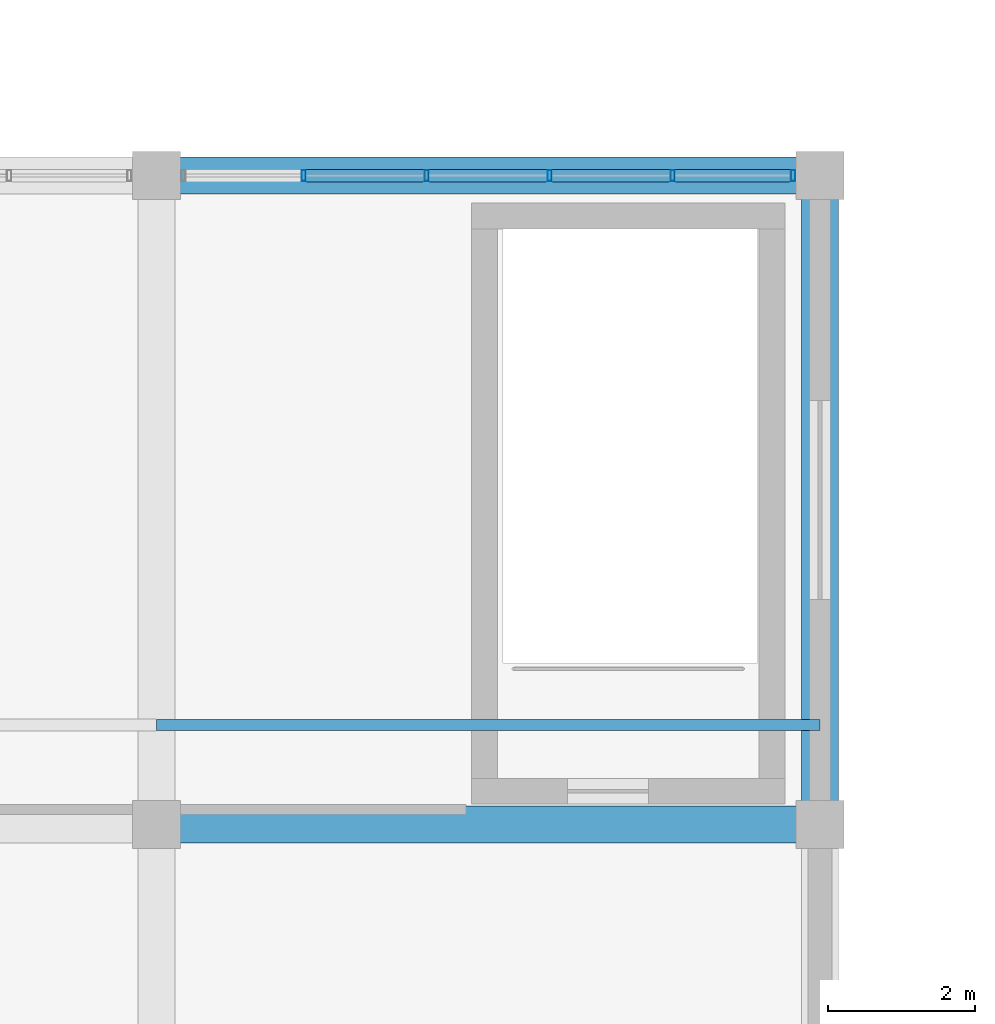
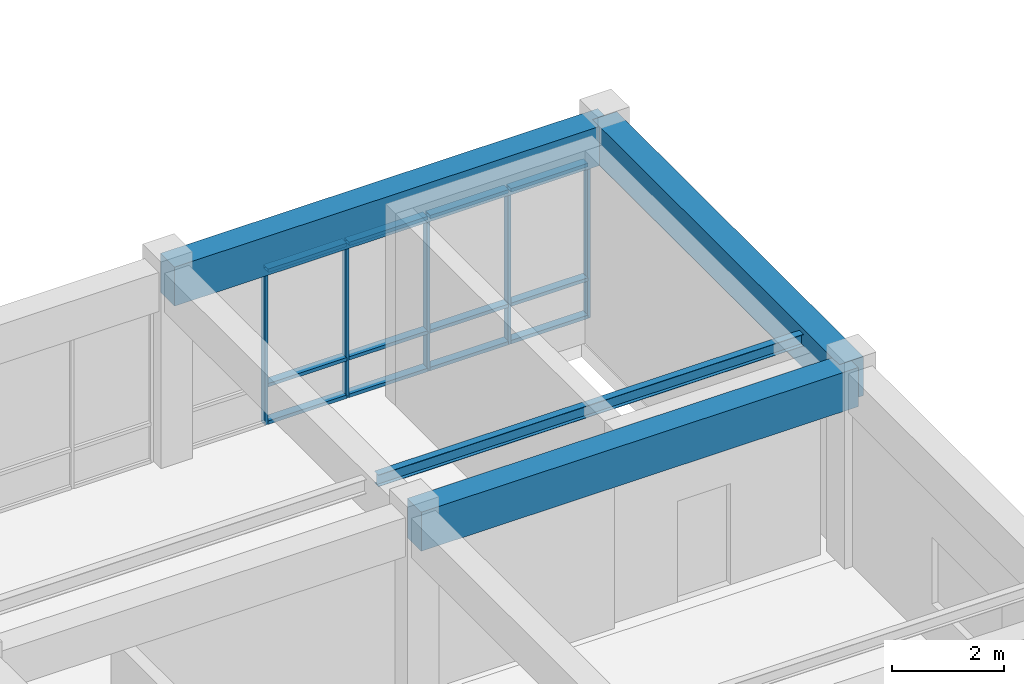
# One storey, part 10 of 55: 18 members, 3 beams, 1 element without a shape of its own.
"""IFC4 building model written with IfcOpenShell, lengths in metres."""

import ifcopenshell
import ifcopenshell.guid

model = None  # the IFC model being written
_history = None  # IfcOwnerHistory: only IFC2X3 demands one
_inside = {}  # id of a spatial element -> (the spatial element, [elements in it])
_under = {}  # id of a project, library or spatial element -> (it, [spatial elements below it])
_declared = {}  # id of a project -> (the project, [libraries it declares])
_typed = {}  # id of a type object -> (the type object, [elements of that type])
_made_of = {}  # id of a material, layer set ... -> (it, [elements and type objects made of it])


def new_model(schema):
    """Start an empty IFC model of exactly this schema.

    Asked for "IFC4X3", IfcOpenShell would pick the latest addendum, in which some entities
    have other attributes; the version numbers below select the first issue.
    IFC2X3 requires an IfcOwnerHistory on every rooted entity: one is made here for all.
    """
    global model, _history
    if schema == "IFC4X3":
        model = ifcopenshell.file(schema_version=(4, 3, 0, 0))
    else:
        model = ifcopenshell.file(schema=schema)
    _inside.clear()
    _under.clear()
    _declared.clear()
    _typed.clear()
    _made_of.clear()
    _history = None
    if model.schema == "IFC2X3":
        org = make("IfcOrganization", Name="unknown")
        user = make(
            "IfcPersonAndOrganization",
            ThePerson=make("IfcPerson", FamilyName="unknown"),
            TheOrganization=org,
        )
        app = make(
            "IfcApplication",
            ApplicationDeveloper=org,
            Version="unknown",
            ApplicationFullName="unknown",
            ApplicationIdentifier="unknown",
        )
        _history = make(
            "IfcOwnerHistory",
            OwningUser=user,
            OwningApplication=app,
            ChangeAction="ADDED",
            CreationDate=0,
        )
    return model


def make(cls, **values):
    """One entity of the class cls with the attributes given. An attribute that is None is left unset."""
    return model.create_entity(
        cls, **{name: value for name, value in values.items() if value is not None}
    )


def rooted(cls, **values):
    """An entity with a GlobalId (a new one), such as an element, a storey or a relation."""
    return make(cls, GlobalId=ifcopenshell.guid.new(), OwnerHistory=_history, **values)


def si_unit(unit_type, name, prefix=None):
    """IfcSIUnit, for example si_unit("LENGTHUNIT", "METRE", prefix="MILLI")."""
    return make("IfcSIUnit", UnitType=unit_type, Prefix=prefix, Name=name)


def assignment(units):
    """IfcUnitAssignment: the units of a project."""
    return None if units is None else make("IfcUnitAssignment", Units=units)


def point(xyz):
    """IfcCartesianPoint."""
    return None if xyz is None else make("IfcCartesianPoint", Coordinates=xyz)


def direction(xyz):
    """IfcDirection."""
    return None if xyz is None else make("IfcDirection", DirectionRatios=xyz)


def frame(location, z_axis=None, x_axis=None):
    """IfcAxis2Placement3D, a coordinate frame: its origin and axes. An axis left out is left unset."""
    return make(
        "IfcAxis2Placement3D",
        Location=point(location),
        Axis=direction(z_axis),
        RefDirection=direction(x_axis),
    )


def frame_2d(location, x_axis=None):
    """IfcAxis2Placement2D, a coordinate frame in the plane: its origin and x axis."""
    return make(
        "IfcAxis2Placement2D", Location=point(location), RefDirection=direction(x_axis)
    )


def origin():
    """The frame at (0, 0, 0) with its axes left unset."""
    return frame((0.0, 0.0, 0.0))


def origin_2d():
    """The frame at (0, 0) in the plane with its x axis left unset."""
    return frame_2d((0.0, 0.0))


def place(relative_to, where):
    """IfcLocalPlacement: puts the frame where relative to a parent placement (None: the world)."""
    return make(
        "IfcLocalPlacement", PlacementRelTo=relative_to, RelativePlacement=where
    )


def context(
    kind, dimensions, precision=None, world=None, true_north=None, identifier=None
):
    """IfcGeometricRepresentationContext, for example the 3D "Model" context."""
    return make(
        "IfcGeometricRepresentationContext",
        ContextIdentifier=identifier,
        ContextType=kind,
        CoordinateSpaceDimension=dimensions,
        Precision=precision,
        WorldCoordinateSystem=world,
        TrueNorth=true_north,
    )


def subcontext(parent, identifier, kind, view, scale=None):
    """IfcGeometricRepresentationSubContext, for example "Body" below "Model"."""
    return make(
        "IfcGeometricRepresentationSubContext",
        ContextIdentifier=identifier,
        ContextType=kind,
        ParentContext=parent,
        TargetScale=scale,
        TargetView=view,
    )


def project(units=None, contexts=None):
    """IfcProject with its units and contexts."""
    return rooted(
        "IfcProject",
        Name="project",
        RepresentationContexts=contexts,
        UnitsInContext=assignment(units),
    )


def spatial(cls, under=None, at=None, **own):
    """A site, building, storey or space (cls), placed at a placement, below another one or the project."""
    s = rooted(cls, ObjectPlacement=at, **own)
    if under is not None:
        _under.setdefault(under.id(), (under, []))[1].append(s)
    return s


def profile(cls, at=None, kind="AREA", **sizes):
    """A parametric profile (cls). Its sizes go by their IFC names, for example OverallWidth=200.0."""
    return make(cls, ProfileType=kind, Position=at, **sizes)


def rectangle(**sizes):
    """IfcRectangleProfileDef."""
    return profile("IfcRectangleProfileDef", **sizes)


def hollow_rectangle(**sizes):
    """IfcRectangleHollowProfileDef."""
    return profile("IfcRectangleHollowProfileDef", **sizes)


def i_section(**sizes):
    """IfcIShapeProfileDef."""
    return profile("IfcIShapeProfileDef", **sizes)


def extrude(swept, where, along, depth):
    """IfcExtrudedAreaSolid: the profile swept, set in the frame where, extruded along a direction by depth."""
    return make(
        "IfcExtrudedAreaSolid",
        SweptArea=swept,
        Position=where,
        ExtrudedDirection=direction(along),
        Depth=depth,
    )


def shape(context_of_items, identifier, shape_type, items):
    """IfcShapeRepresentation: the items that make up one representation, for example the "Body"."""
    return make(
        "IfcShapeRepresentation",
        ContextOfItems=context_of_items,
        RepresentationIdentifier=identifier,
        RepresentationType=shape_type,
        Items=items,
    )


def material(Name=None, Category=None):
    """IfcMaterial."""
    return make("IfcMaterial", Name=Name, Category=Category)


def layer(
    of_material, thickness, ventilated=None, Name=None, Category=None, Priority=None
):
    """IfcMaterialLayer: one layer of a wall or slab, of a material (None: an air gap)."""
    return make(
        "IfcMaterialLayer",
        Material=of_material,
        LayerThickness=thickness,
        IsVentilated=ventilated,
        Name=Name,
        Category=Category,
        Priority=Priority,
    )


def layer_set(layers, Name=None):
    """IfcMaterialLayerSet."""
    return make("IfcMaterialLayerSet", MaterialLayers=layers, LayerSetName=Name)


def material_profile(
    of_material, cross_section, Name=None, Category=None, Priority=None
):
    """IfcMaterialProfile: a cross section and its material."""
    return make(
        "IfcMaterialProfile",
        Name=Name,
        Material=of_material,
        Profile=cross_section,
        Priority=Priority,
        Category=Category,
    )


def profile_set(profiles, Name=None, composite=None):
    """IfcMaterialProfileSet."""
    return make(
        "IfcMaterialProfileSet",
        Name=Name,
        MaterialProfiles=profiles,
        CompositeProfile=composite,
    )


def made_of(thing, what):
    """Note that an element or type object is made of a material, layer set ...; save() writes the relation."""
    if what is not None:
        _made_of.setdefault(what.id(), (what, []))[1].append(thing)
    return thing


def type_object(cls, material=None, **own):
    """A type object (cls), such as IfcWallType, which elements share."""
    return made_of(rooted(cls, **own), material)


def element(
    cls,
    number,
    at=None,
    inside=None,
    cuts=None,
    type_object=None,
    material=None,
    context=None,
    identifier="Body",
    shape_type=None,
    held_by="IfcProductDefinitionShape",
    body=None,
    shapes=None,
    **own,
):
    """One element of the class cls, such as IfcWall. Its Tag is "e" and its number.

    at: its placement. inside: the storey or other place that contains it. cuts: it is an
    opening in that element (IfcRelVoidsElement). A single representation is given by context,
    identifier, shape_type and body (its items); several are given by shapes. held_by: the class
    of the entity that holds the representations. save() writes the other relations.
    """
    e = rooted(cls, Tag="e%d" % number, ObjectPlacement=at, **own)
    if body is not None:
        shapes = [shape(context, identifier, shape_type, body)]
    if shapes is not None:
        e.Representation = make(held_by, Representations=shapes)
    if inside is not None:
        _inside.setdefault(inside.id(), (inside, []))[1].append(e)
    if cuts is not None:
        rooted(
            "IfcRelVoidsElement", RelatingBuildingElement=cuts, RelatedOpeningElement=e
        )
    if type_object is not None:
        _typed.setdefault(type_object.id(), (type_object, []))[1].append(e)
    return made_of(e, material)


def aggregate(whole, parts):
    """IfcRelAggregates: a whole, such as a stair, and the parts it consists of."""
    return rooted("IfcRelAggregates", RelatingObject=whole, RelatedObjects=parts)


def save(model, path):
    """Write the relations noted so far, then the file.

    IfcRelAggregates (storeys below a building ...), IfcRelContainedInSpatialStructure (elements
    in a storey), IfcRelDefinesByType, IfcRelAssociatesMaterial and IfcRelDeclares: one each for
    every whole, place, type object, material and project.
    """
    for whole, parts in _under.values():
        aggregate(whole, parts)
    for where, things in _inside.values():
        rooted(
            "IfcRelContainedInSpatialStructure",
            RelatedElements=things,
            RelatingStructure=where,
        )
    for kind, things in _typed.values():
        rooted("IfcRelDefinesByType", RelatedObjects=things, RelatingType=kind)
    for what, things in _made_of.values():
        rooted("IfcRelAssociatesMaterial", RelatedObjects=things, RelatingMaterial=what)
    for by, libraries in _declared.values():
        rooted("IfcRelDeclares", RelatingContext=by, RelatedDefinitions=libraries)
    model.write(path)


model = new_model("IFC4")

# Units and contexts
model_context = context("Model", 3, precision=1e-05, world=origin(), true_north=direction((0.0, 1.0)))
body_context = subcontext(model_context, "Body", "Model", "MODEL_VIEW")
ifc_project = project(units=[si_unit("LENGTHUNIT", "METRE"), si_unit("AREAUNIT", "SQUARE_METRE"), si_unit("VOLUMEUNIT", "CUBIC_METRE"), si_unit("PLANEANGLEUNIT", "RADIAN"), si_unit("MASSUNIT", "GRAM", prefix="KILO")], contexts=[model_context])

# Site, building, storey
site_placement = place(None, origin())
site = spatial("IfcSite", under=ifc_project, at=site_placement, CompositionType="ELEMENT")
building_placement = place(site_placement, origin())
building = spatial("IfcBuilding", under=site, at=building_placement, Name="Ventoquebrada Cableway Terminal", CompositionType="ELEMENT")
storey_placement = place(building_placement, frame((0.0, 0.0, 14.39990234375)))
storey = spatial("IfcBuildingStorey", under=building, at=storey_placement, Name="L03", CompositionType="ELEMENT", Elevation=14.39990234375)

# Beams
ifc_material_1 = material(Name="Concrete C40/50", Category="concrete")
ifc_material_profile_1 = material_profile(ifc_material_1, rectangle(XDim=0.5, YDim=0.85009765625, at=origin_2d()), Name="RC-BM-500X850")
ifc_profile_set_1 = profile_set([ifc_material_profile_1], Name="Concrete C40/50")
beam_type = type_object("IfcBeamType", Name="BM-RC04", PredefinedType="BEAM", material=ifc_profile_set_1)
for number, where, z_axis, x_axis, name in (
    (1, (17.199951171875, 29.39990234375, 3.80517578125), (1.0, 0.0, 0.0), (0.0, 1.0, 0.0), "Primary frame girder FBM-0237"),
    (2, (17.199951171875, 38.199951171875, 3.80517578125), (1.0, 0.0, 0.0), (0.0, 1.0, 0.0), "Primary frame girder FBM-0240"),
):
    element("IfcBeam", number, at=place(storey_placement, frame(where, z_axis=z_axis, x_axis=x_axis)), inside=storey, type_object=beam_type, Name=name, PredefinedType="BEAM", context=body_context, shape_type="SweptSolid", body=[
        extrude(rectangle(XDim=0.5, YDim=0.85009765625, at=origin_2d()), origin(), (0.0, 0.0, 1.0), 9.0),
    ])
beam_placement = place(storey_placement, frame((26.199951171875, 29.39990234375, 3.80517578125), z_axis=(0.0, 1.0, 0.0), x_axis=(-1.0, 0.0, 0.0)))
element("IfcBeam", 3, at=beam_placement, inside=storey, type_object=beam_type, Name="Primary frame girder FBM-0254", PredefinedType="BEAM", context=body_context, shape_type="SweptSolid", body=[
    extrude(rectangle(XDim=0.5, YDim=0.85009765625, at=origin_2d()), origin(), (0.0, 0.0, 1.0), 8.800048828125),
])

# Curtain wall, members
ifc_material_2 = material(Name="Anodized thermally-broken aluminium", Category="aluminium")
ifc_layer = layer(ifc_material_2, 0.159912109375)
ifc_layer_set = layer_set([ifc_layer], Name="Anodized thermally-broken aluminium")
curtain_wall_type = type_object("IfcCurtainWallType", Name="CW-T11", PredefinedType="USERDEFINED", material=ifc_layer_set)
curtain_wall_placement = place(storey_placement, origin())
curtain_wall = element("IfcCurtainWall", 4, at=curtain_wall_placement, inside=storey, type_object=curtain_wall_type, Name="Unitised glazed curtain wall CW-022", ObjectType="UNITISED CURTAIN WALL", PredefinedType="USERDEFINED")
ifc_material_profile_2 = material_profile(ifc_material_2, hollow_rectangle(XDim=0.06005859375, YDim=0.14990234375, WallThickness=0.00390625, at=origin_2d()), Name="CW-MUL-60X150")
ifc_profile_set_2 = profile_set([ifc_material_profile_2], Name="Anodized thermally-broken aluminium")
member_type_1 = type_object("IfcMemberType", Name="CWM-03", PredefinedType="MULLION", material=ifc_profile_set_2)
member_1_placement = place(storey_placement, frame((25.8349609375, 38.199951171875, -0.0078125), z_axis=(0.0, 0.0, 1.0), x_axis=(-1.0, 0.0, 0.0)))
member_1 = element("IfcMember", 5, at=member_1_placement, type_object=member_type_1, Name="Curtain wall mullion FML-0100", PredefinedType="MULLION", context=body_context, shape_type="SweptSolid", body=[
    extrude(hollow_rectangle(XDim=0.06005859375, YDim=0.14990234375, WallThickness=0.00390625, at=origin_2d()), origin(), (0.0, 0.0, 1.0), 3.387939453125),
])
member_2_placement = place(storey_placement, frame((24.201904296875, 38.199951171875, -0.0078125), z_axis=(0.0, 0.0, 1.0), x_axis=(-1.0, 0.0, 0.0)))
member_2 = element("IfcMember", 6, at=member_2_placement, type_object=member_type_1, Name="Curtain wall mullion FML-0101", PredefinedType="MULLION", context=body_context, shape_type="SweptSolid", body=[
    extrude(hollow_rectangle(XDim=0.06005859375, YDim=0.14990234375, WallThickness=0.00390625, at=origin_2d()), origin(), (0.0, 0.0, 1.0), 3.387939453125),
])
member_3_placement = place(storey_placement, frame((22.533935546875, 38.199951171875, -0.0078125), z_axis=(0.0, 0.0, 1.0), x_axis=(-1.0, 0.0, 0.0)))
member_3 = element("IfcMember", 7, at=member_3_placement, type_object=member_type_1, Name="Curtain wall mullion FML-0102", PredefinedType="MULLION", context=body_context, shape_type="SweptSolid", body=[
    extrude(hollow_rectangle(XDim=0.06005859375, YDim=0.14990234375, WallThickness=0.00390625, at=origin_2d()), origin(), (0.0, 0.0, 1.0), 3.387939453125),
])
member_4_placement = place(storey_placement, frame((20.865966796875, 38.199951171875, -0.0078125), z_axis=(0.0, 0.0, 1.0), x_axis=(-1.0, 0.0, 0.0)))
member_4 = element("IfcMember", 8, at=member_4_placement, type_object=member_type_1, Name="Curtain wall mullion FML-0103", PredefinedType="MULLION", context=body_context, shape_type="SweptSolid", body=[
    extrude(hollow_rectangle(XDim=0.06005859375, YDim=0.14990234375, WallThickness=0.00390625, at=origin_2d()), origin(), (0.0, 0.0, 1.0), 3.387939453125),
])
member_5_placement = place(storey_placement, frame((19.197998046875, 38.199951171875, -0.0078125), z_axis=(0.0, 0.0, 1.0), x_axis=(-1.0, 0.0, 0.0)))
member_5 = element("IfcMember", 9, at=member_5_placement, type_object=member_type_1, Name="Curtain wall mullion FML-0104", PredefinedType="MULLION", context=body_context, shape_type="SweptSolid", body=[
    extrude(hollow_rectangle(XDim=0.06005859375, YDim=0.14990234375, WallThickness=0.00390625, at=origin_2d()), origin(), (0.0, 0.0, 1.0), 3.387939453125),
])
ifc_material_profile_3 = material_profile(ifc_material_2, hollow_rectangle(XDim=0.074951171875, YDim=0.169921875, WallThickness=0.00439453125, at=origin_2d()), Name="CW-TRN-75X170")
ifc_profile_set_3 = profile_set([ifc_material_profile_3], Name="Anodized thermally-broken aluminium")
member_type_2 = type_object("IfcMemberType", Name="CWT-03", PredefinedType="USERDEFINED", material=ifc_profile_set_3)
member_6_placement = place(storey_placement, frame((25.81005859375, 38.199951171875, 0.03515625), z_axis=(-1.0, 0.0, 0.0), x_axis=(0.0, 0.0, 1.0)))
member_6 = element("IfcMember", 10, at=member_6_placement, type_object=member_type_2, Name="Curtain wall transom FTR-0296", ObjectType="TRANSOM", PredefinedType="USERDEFINED", context=body_context, shape_type="SweptSolid", body=[
    extrude(hollow_rectangle(XDim=0.074951171875, YDim=0.169921875, WallThickness=0.00439453125, at=origin_2d()), origin(), (0.0, 0.0, 1.0), 1.5830078125),
])
member_7_placement = place(storey_placement, frame((25.81005859375, 38.199951171875, 0.85009765625), z_axis=(-1.0, 0.0, 0.0), x_axis=(0.0, 0.0, 1.0)))
member_7 = element("IfcMember", 11, at=member_7_placement, type_object=member_type_2, Name="Curtain wall transom FTR-0297", ObjectType="TRANSOM", PredefinedType="USERDEFINED", context=body_context, shape_type="SweptSolid", body=[
    extrude(hollow_rectangle(XDim=0.074951171875, YDim=0.169921875, WallThickness=0.00439453125, at=origin_2d()), origin(), (0.0, 0.0, 1.0), 1.5830078125),
])
member_8_placement = place(storey_placement, frame((25.81005859375, 38.199951171875, 3.340087890625), z_axis=(-1.0, 0.0, 0.0), x_axis=(0.0, 0.0, 1.0)))
member_8 = element("IfcMember", 12, at=member_8_placement, type_object=member_type_2, Name="Curtain wall transom FTR-0298", ObjectType="TRANSOM", PredefinedType="USERDEFINED", context=body_context, shape_type="SweptSolid", body=[
    extrude(hollow_rectangle(XDim=0.074951171875, YDim=0.169921875, WallThickness=0.00439453125, at=origin_2d()), origin(), (0.0, 0.0, 1.0), 1.5830078125),
])
member_9_placement = place(storey_placement, frame((24.177001953125, 38.199951171875, 0.03515625), z_axis=(-1.0, 0.0, 0.0), x_axis=(0.0, 0.0, 1.0)))
member_9 = element("IfcMember", 13, at=member_9_placement, type_object=member_type_2, Name="Curtain wall transom FTR-0299", ObjectType="TRANSOM", PredefinedType="USERDEFINED", context=body_context, shape_type="SweptSolid", body=[
    extrude(hollow_rectangle(XDim=0.074951171875, YDim=0.169921875, WallThickness=0.00439453125, at=origin_2d()), origin(), (0.0, 0.0, 1.0), 1.617919921875),
])
member_10_placement = place(storey_placement, frame((24.177001953125, 38.199951171875, 0.85009765625), z_axis=(-1.0, 0.0, 0.0), x_axis=(0.0, 0.0, 1.0)))
member_10 = element("IfcMember", 14, at=member_10_placement, type_object=member_type_2, Name="Curtain wall transom FTR-0300", ObjectType="TRANSOM", PredefinedType="USERDEFINED", context=body_context, shape_type="SweptSolid", body=[
    extrude(hollow_rectangle(XDim=0.074951171875, YDim=0.169921875, WallThickness=0.00439453125, at=origin_2d()), origin(), (0.0, 0.0, 1.0), 1.617919921875),
])
member_11_placement = place(storey_placement, frame((24.177001953125, 38.199951171875, 3.340087890625), z_axis=(-1.0, 0.0, 0.0), x_axis=(0.0, 0.0, 1.0)))
member_11 = element("IfcMember", 15, at=member_11_placement, type_object=member_type_2, Name="Curtain wall transom FTR-0301", ObjectType="TRANSOM", PredefinedType="USERDEFINED", context=body_context, shape_type="SweptSolid", body=[
    extrude(hollow_rectangle(XDim=0.074951171875, YDim=0.169921875, WallThickness=0.00439453125, at=origin_2d()), origin(), (0.0, 0.0, 1.0), 1.617919921875),
])
member_12_placement = place(storey_placement, frame((22.509033203125, 38.199951171875, 0.03515625), z_axis=(-1.0, 0.0, 0.0), x_axis=(0.0, 0.0, 1.0)))
member_12 = element("IfcMember", 16, at=member_12_placement, type_object=member_type_2, Name="Curtain wall transom FTR-0302", ObjectType="TRANSOM", PredefinedType="USERDEFINED", context=body_context, shape_type="SweptSolid", body=[
    extrude(hollow_rectangle(XDim=0.074951171875, YDim=0.169921875, WallThickness=0.00439453125, at=origin_2d()), origin(), (0.0, 0.0, 1.0), 1.617919921875),
])
member_13_placement = place(storey_placement, frame((22.509033203125, 38.199951171875, 0.85009765625), z_axis=(-1.0, 0.0, 0.0), x_axis=(0.0, 0.0, 1.0)))
member_13 = element("IfcMember", 17, at=member_13_placement, type_object=member_type_2, Name="Curtain wall transom FTR-0303", ObjectType="TRANSOM", PredefinedType="USERDEFINED", context=body_context, shape_type="SweptSolid", body=[
    extrude(hollow_rectangle(XDim=0.074951171875, YDim=0.169921875, WallThickness=0.00439453125, at=origin_2d()), origin(), (0.0, 0.0, 1.0), 1.617919921875),
])
member_14_placement = place(storey_placement, frame((22.509033203125, 38.199951171875, 3.340087890625), z_axis=(-1.0, 0.0, 0.0), x_axis=(0.0, 0.0, 1.0)))
member_14 = element("IfcMember", 18, at=member_14_placement, type_object=member_type_2, Name="Curtain wall transom FTR-0304", ObjectType="TRANSOM", PredefinedType="USERDEFINED", context=body_context, shape_type="SweptSolid", body=[
    extrude(hollow_rectangle(XDim=0.074951171875, YDim=0.169921875, WallThickness=0.00439453125, at=origin_2d()), origin(), (0.0, 0.0, 1.0), 1.617919921875),
])
member_15_placement = place(storey_placement, frame((20.841064453125, 38.199951171875, 0.03515625), z_axis=(-1.0, 0.0, 0.0), x_axis=(0.0, 0.0, 1.0)))
member_15 = element("IfcMember", 19, at=member_15_placement, type_object=member_type_2, Name="Curtain wall transom FTR-0305", ObjectType="TRANSOM", PredefinedType="USERDEFINED", context=body_context, shape_type="SweptSolid", body=[
    extrude(hollow_rectangle(XDim=0.074951171875, YDim=0.169921875, WallThickness=0.00439453125, at=origin_2d()), origin(), (0.0, 0.0, 1.0), 1.6181640625),
])
member_16_placement = place(storey_placement, frame((20.841064453125, 38.199951171875, 0.85009765625), z_axis=(-1.0, 0.0, 0.0), x_axis=(0.0, 0.0, 1.0)))
member_16 = element("IfcMember", 20, at=member_16_placement, type_object=member_type_2, Name="Curtain wall transom FTR-0306", ObjectType="TRANSOM", PredefinedType="USERDEFINED", context=body_context, shape_type="SweptSolid", body=[
    extrude(hollow_rectangle(XDim=0.074951171875, YDim=0.169921875, WallThickness=0.00439453125, at=origin_2d()), origin(), (0.0, 0.0, 1.0), 1.6181640625),
])
member_17_placement = place(storey_placement, frame((20.841064453125, 38.199951171875, 3.340087890625), z_axis=(-1.0, 0.0, 0.0), x_axis=(0.0, 0.0, 1.0)))
member_17 = element("IfcMember", 21, at=member_17_placement, type_object=member_type_2, Name="Curtain wall transom FTR-0307", ObjectType="TRANSOM", PredefinedType="USERDEFINED", context=body_context, shape_type="SweptSolid", body=[
    extrude(hollow_rectangle(XDim=0.074951171875, YDim=0.169921875, WallThickness=0.00439453125, at=origin_2d()), origin(), (0.0, 0.0, 1.0), 1.6181640625),
])
aggregate(curtain_wall, [member_1, member_2, member_3, member_4, member_5, member_6, member_7, member_8, member_9, member_10, member_11, member_12, member_13, member_14, member_15, member_16, member_17])

# Member
ifc_material_3 = material(Name="Steel ASTM A992 Grade 50", Category="steel")
ifc_material_profile_4 = material_profile(ifc_material_3, i_section(OverallWidth=0.14599609375, OverallDepth=0.259033203125, WebThickness=0.006103515625, FlangeThickness=0.009033203125, at=origin_2d()), Name="W10X22")
ifc_profile_set_4 = profile_set([ifc_material_profile_4], Name="Steel ASTM A992 Grade 50")
member_type_3 = type_object("IfcMemberType", Name="PUR-RF04", PredefinedType="PURLIN", material=ifc_profile_set_4)
member_18_placement = place(storey_placement, frame((17.199951171875, 30.75, 3.986083984375), z_axis=(1.0, 0.0, 0.0), x_axis=(0.0, 1.0, 0.0)))
element("IfcMember", 22, at=member_18_placement, inside=storey, type_object=member_type_3, Name="Roof support purlin RPR-0480", PredefinedType="PURLIN", context=body_context, shape_type="SweptSolid", body=[
    extrude(i_section(OverallWidth=0.14599609375, OverallDepth=0.259033203125, WebThickness=0.006103515625, FlangeThickness=0.009033203125, at=origin_2d()), origin(), (0.0, 0.0, 1.0), 9.0),
])

save(model, "model.ifc")
